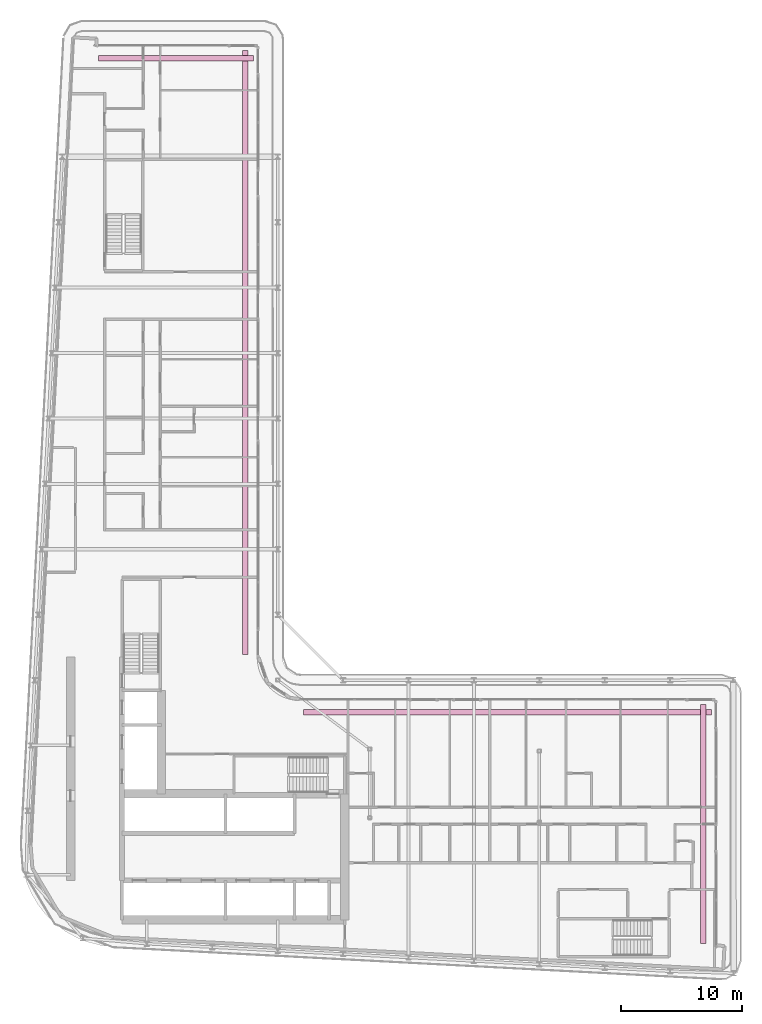
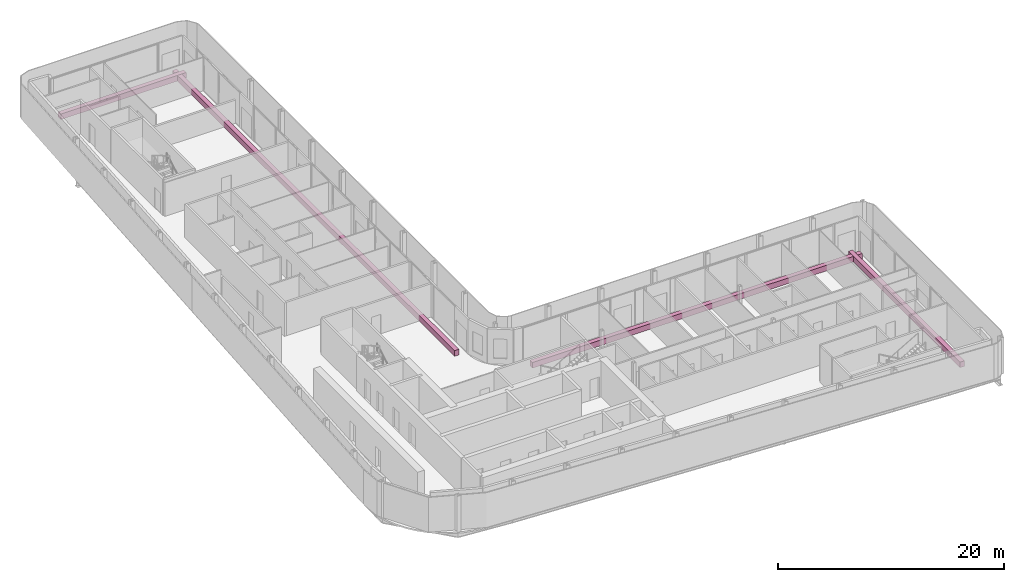
# One storey, part 22 of 22: 4 furniture elements.
"""IFC4 building model written with IfcOpenShell, lengths in metres."""

import ifcopenshell
import ifcopenshell.guid

model = None  # the IFC model being written
_history = None  # IfcOwnerHistory: only IFC2X3 demands one
_inside = {}  # id of a spatial element -> (the spatial element, [elements in it])
_under = {}  # id of a project, library or spatial element -> (it, [spatial elements below it])
_declared = {}  # id of a project -> (the project, [libraries it declares])
_typed = {}  # id of a type object -> (the type object, [elements of that type])
_made_of = {}  # id of a material, layer set ... -> (it, [elements and type objects made of it])


def new_model(schema):
    """Start an empty IFC model of exactly this schema.

    Asked for "IFC4X3", IfcOpenShell would pick the latest addendum, in which some entities
    have other attributes; the version numbers below select the first issue.
    IFC2X3 requires an IfcOwnerHistory on every rooted entity: one is made here for all.
    """
    global model, _history
    if schema == "IFC4X3":
        model = ifcopenshell.file(schema_version=(4, 3, 0, 0))
    else:
        model = ifcopenshell.file(schema=schema)
    _inside.clear()
    _under.clear()
    _declared.clear()
    _typed.clear()
    _made_of.clear()
    _history = None
    if model.schema == "IFC2X3":
        org = make("IfcOrganization", Name="unknown")
        user = make(
            "IfcPersonAndOrganization",
            ThePerson=make("IfcPerson", FamilyName="unknown"),
            TheOrganization=org,
        )
        app = make(
            "IfcApplication",
            ApplicationDeveloper=org,
            Version="unknown",
            ApplicationFullName="unknown",
            ApplicationIdentifier="unknown",
        )
        _history = make(
            "IfcOwnerHistory",
            OwningUser=user,
            OwningApplication=app,
            ChangeAction="ADDED",
            CreationDate=0,
        )
    return model


def make(cls, **values):
    """One entity of the class cls with the attributes given. An attribute that is None is left unset."""
    return model.create_entity(
        cls, **{name: value for name, value in values.items() if value is not None}
    )


def rooted(cls, **values):
    """An entity with a GlobalId (a new one), such as an element, a storey or a relation."""
    return make(cls, GlobalId=ifcopenshell.guid.new(), OwnerHistory=_history, **values)


def si_unit(unit_type, name, prefix=None):
    """IfcSIUnit, for example si_unit("LENGTHUNIT", "METRE", prefix="MILLI")."""
    return make("IfcSIUnit", UnitType=unit_type, Prefix=prefix, Name=name)


def assignment(units):
    """IfcUnitAssignment: the units of a project."""
    return None if units is None else make("IfcUnitAssignment", Units=units)


def point(xyz):
    """IfcCartesianPoint."""
    return None if xyz is None else make("IfcCartesianPoint", Coordinates=xyz)


def direction(xyz):
    """IfcDirection."""
    return None if xyz is None else make("IfcDirection", DirectionRatios=xyz)


def frame(location, z_axis=None, x_axis=None):
    """IfcAxis2Placement3D, a coordinate frame: its origin and axes. An axis left out is left unset."""
    return make(
        "IfcAxis2Placement3D",
        Location=point(location),
        Axis=direction(z_axis),
        RefDirection=direction(x_axis),
    )


def frame_2d(location, x_axis=None):
    """IfcAxis2Placement2D, a coordinate frame in the plane: its origin and x axis."""
    return make(
        "IfcAxis2Placement2D", Location=point(location), RefDirection=direction(x_axis)
    )


def origin():
    """The frame at (0, 0, 0) with its axes left unset."""
    return frame((0.0, 0.0, 0.0))


def origin_2d():
    """The frame at (0, 0) in the plane with its x axis left unset."""
    return frame_2d((0.0, 0.0))


def place(relative_to, where):
    """IfcLocalPlacement: puts the frame where relative to a parent placement (None: the world)."""
    return make(
        "IfcLocalPlacement", PlacementRelTo=relative_to, RelativePlacement=where
    )


def context(
    kind, dimensions, precision=None, world=None, true_north=None, identifier=None
):
    """IfcGeometricRepresentationContext, for example the 3D "Model" context."""
    return make(
        "IfcGeometricRepresentationContext",
        ContextIdentifier=identifier,
        ContextType=kind,
        CoordinateSpaceDimension=dimensions,
        Precision=precision,
        WorldCoordinateSystem=world,
        TrueNorth=true_north,
    )


def subcontext(parent, identifier, kind, view, scale=None):
    """IfcGeometricRepresentationSubContext, for example "Body" below "Model"."""
    return make(
        "IfcGeometricRepresentationSubContext",
        ContextIdentifier=identifier,
        ContextType=kind,
        ParentContext=parent,
        TargetScale=scale,
        TargetView=view,
    )


def project(units=None, contexts=None):
    """IfcProject with its units and contexts."""
    return rooted(
        "IfcProject",
        Name="project",
        RepresentationContexts=contexts,
        UnitsInContext=assignment(units),
    )


def spatial(cls, under=None, at=None, **own):
    """A site, building, storey or space (cls), placed at a placement, below another one or the project."""
    s = rooted(cls, ObjectPlacement=at, **own)
    if under is not None:
        _under.setdefault(under.id(), (under, []))[1].append(s)
    return s


def profile(cls, at=None, kind="AREA", **sizes):
    """A parametric profile (cls). Its sizes go by their IFC names, for example OverallWidth=200.0."""
    return make(cls, ProfileType=kind, Position=at, **sizes)


def rectangle(**sizes):
    """IfcRectangleProfileDef."""
    return profile("IfcRectangleProfileDef", **sizes)


def extrude(swept, where, along, depth):
    """IfcExtrudedAreaSolid: the profile swept, set in the frame where, extruded along a direction by depth."""
    return make(
        "IfcExtrudedAreaSolid",
        SweptArea=swept,
        Position=where,
        ExtrudedDirection=direction(along),
        Depth=depth,
    )


def shape(context_of_items, identifier, shape_type, items):
    """IfcShapeRepresentation: the items that make up one representation, for example the "Body"."""
    return make(
        "IfcShapeRepresentation",
        ContextOfItems=context_of_items,
        RepresentationIdentifier=identifier,
        RepresentationType=shape_type,
        Items=items,
    )


def material(Name=None, Category=None):
    """IfcMaterial."""
    return make("IfcMaterial", Name=Name, Category=Category)


def made_of(thing, what):
    """Note that an element or type object is made of a material, layer set ...; save() writes the relation."""
    if what is not None:
        _made_of.setdefault(what.id(), (what, []))[1].append(thing)
    return thing


def type_object(cls, material=None, **own):
    """A type object (cls), such as IfcWallType, which elements share."""
    return made_of(rooted(cls, **own), material)


def element(
    cls,
    number,
    at=None,
    inside=None,
    cuts=None,
    type_object=None,
    material=None,
    context=None,
    identifier="Body",
    shape_type=None,
    held_by="IfcProductDefinitionShape",
    body=None,
    shapes=None,
    **own,
):
    """One element of the class cls, such as IfcWall. Its Tag is "e" and its number.

    at: its placement. inside: the storey or other place that contains it. cuts: it is an
    opening in that element (IfcRelVoidsElement). A single representation is given by context,
    identifier, shape_type and body (its items); several are given by shapes. held_by: the class
    of the entity that holds the representations. save() writes the other relations.
    """
    e = rooted(cls, Tag="e%d" % number, ObjectPlacement=at, **own)
    if body is not None:
        shapes = [shape(context, identifier, shape_type, body)]
    if shapes is not None:
        e.Representation = make(held_by, Representations=shapes)
    if inside is not None:
        _inside.setdefault(inside.id(), (inside, []))[1].append(e)
    if cuts is not None:
        rooted(
            "IfcRelVoidsElement", RelatingBuildingElement=cuts, RelatedOpeningElement=e
        )
    if type_object is not None:
        _typed.setdefault(type_object.id(), (type_object, []))[1].append(e)
    return made_of(e, material)


def aggregate(whole, parts):
    """IfcRelAggregates: a whole, such as a stair, and the parts it consists of."""
    return rooted("IfcRelAggregates", RelatingObject=whole, RelatedObjects=parts)


def save(model, path):
    """Write the relations noted so far, then the file.

    IfcRelAggregates (storeys below a building ...), IfcRelContainedInSpatialStructure (elements
    in a storey), IfcRelDefinesByType, IfcRelAssociatesMaterial and IfcRelDeclares: one each for
    every whole, place, type object, material and project.
    """
    for whole, parts in _under.values():
        aggregate(whole, parts)
    for where, things in _inside.values():
        rooted(
            "IfcRelContainedInSpatialStructure",
            RelatedElements=things,
            RelatingStructure=where,
        )
    for kind, things in _typed.values():
        rooted("IfcRelDefinesByType", RelatedObjects=things, RelatingType=kind)
    for what, things in _made_of.values():
        rooted("IfcRelAssociatesMaterial", RelatedObjects=things, RelatingMaterial=what)
    for by, libraries in _declared.values():
        rooted("IfcRelDeclares", RelatingContext=by, RelatedDefinitions=libraries)
    model.write(path)


model = new_model("IFC4")

# Units and contexts
model_context = context("Model", 3, precision=1e-05, world=origin(), true_north=direction((0.0, 1.0)))
body_context = subcontext(model_context, "Body", "Model", "MODEL_VIEW")
ifc_project = project(units=[si_unit("LENGTHUNIT", "METRE"), si_unit("AREAUNIT", "SQUARE_METRE"), si_unit("VOLUMEUNIT", "CUBIC_METRE"), si_unit("PLANEANGLEUNIT", "RADIAN"), si_unit("MASSUNIT", "GRAM", prefix="KILO")], contexts=[model_context])

# Site, building, storey
site_placement = place(None, origin())
site = spatial("IfcSite", under=ifc_project, at=site_placement, CompositionType="ELEMENT")
building_placement = place(site_placement, origin())
building = spatial("IfcBuilding", under=site, at=building_placement, Name="Kheshtan School and Residences Tower", CompositionType="ELEMENT")
storey_placement = place(building_placement, frame((0.0, 0.0, 263.0)))
storey = spatial("IfcBuildingStorey", under=building, at=storey_placement, Name="L62", CompositionType="ELEMENT", Elevation=263.0)

# Furniture
ifc_material = material(Name="Precast concrete C30/37 in terracotta finish", Category="masonry")
furniture_type = type_object("IfcFurnitureType", Name="Planter trough", AssemblyPlace="NOTDEFINED", PredefinedType="USERDEFINED", material=ifc_material)
furniture_1_placement = place(storey_placement, frame((39.196044921875, 96.925048828125, 0.0), z_axis=(0.0, 0.0, 1.0), x_axis=(1.0, 0.0, 0.0)))
element("IfcFurniture", 1, at=furniture_1_placement, inside=storey, type_object=furniture_type, Name="Planter L62", ObjectType="PLANTER", PredefinedType="USERDEFINED", context=body_context, shape_type="SweptSolid", body=[
    extrude(rectangle(XDim=12.80810546875, YDim=0.449951171875, at=origin_2d()), origin(), (0.0, 0.0, 1.0), 0.60009765625),
])
furniture_2_placement = place(storey_placement, frame((44.925048828125, 72.6650390625, 0.0), z_axis=(0.0, 0.0, 1.0), x_axis=(0.0, -1.0, 0.0)))
element("IfcFurniture", 2, at=furniture_2_placement, inside=storey, type_object=furniture_type, Name="Planter L62", ObjectType="PLANTER", PredefinedType="USERDEFINED", context=body_context, shape_type="SweptSolid", body=[
    extrude(rectangle(XDim=49.8701171875, YDim=0.449951171875, at=origin_2d()), origin(), (0.0, 0.0, 1.0), 0.60009765625),
])
furniture_3_placement = place(storey_placement, frame((66.56494140625, 42.925048828125, 0.0), z_axis=(0.0, 0.0, 1.0), x_axis=(1.0, 0.0, 0.0)))
element("IfcFurniture", 3, at=furniture_3_placement, inside=storey, type_object=furniture_type, Name="Planter L62", ObjectType="PLANTER", PredefinedType="USERDEFINED", context=body_context, shape_type="SweptSolid", body=[
    extrude(rectangle(XDim=33.669921875, YDim=0.449951171875, at=origin_2d()), origin(), (0.0, 0.0, 1.0), 0.60009765625),
])
furniture_4_placement = place(storey_placement, frame((82.72509765625, 33.73291015625, 0.0), z_axis=(0.0, 0.0, 1.0), x_axis=(0.0, -1.0, 0.0)))
element("IfcFurniture", 4, at=furniture_4_placement, inside=storey, type_object=furniture_type, Name="Planter L62", ObjectType="PLANTER", PredefinedType="USERDEFINED", context=body_context, shape_type="SweptSolid", body=[
    extrude(rectangle(XDim=19.73291015625, YDim=0.449951171875, at=origin_2d()), origin(), (0.0, 0.0, 1.0), 0.60009765625),
])

save(model, "model.ifc")
